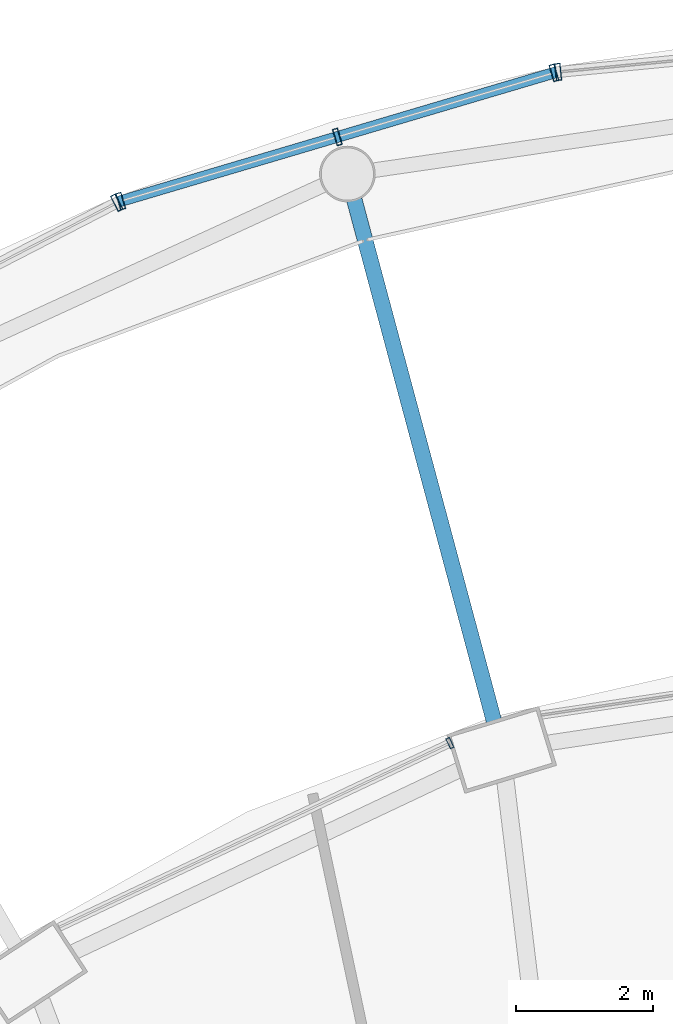
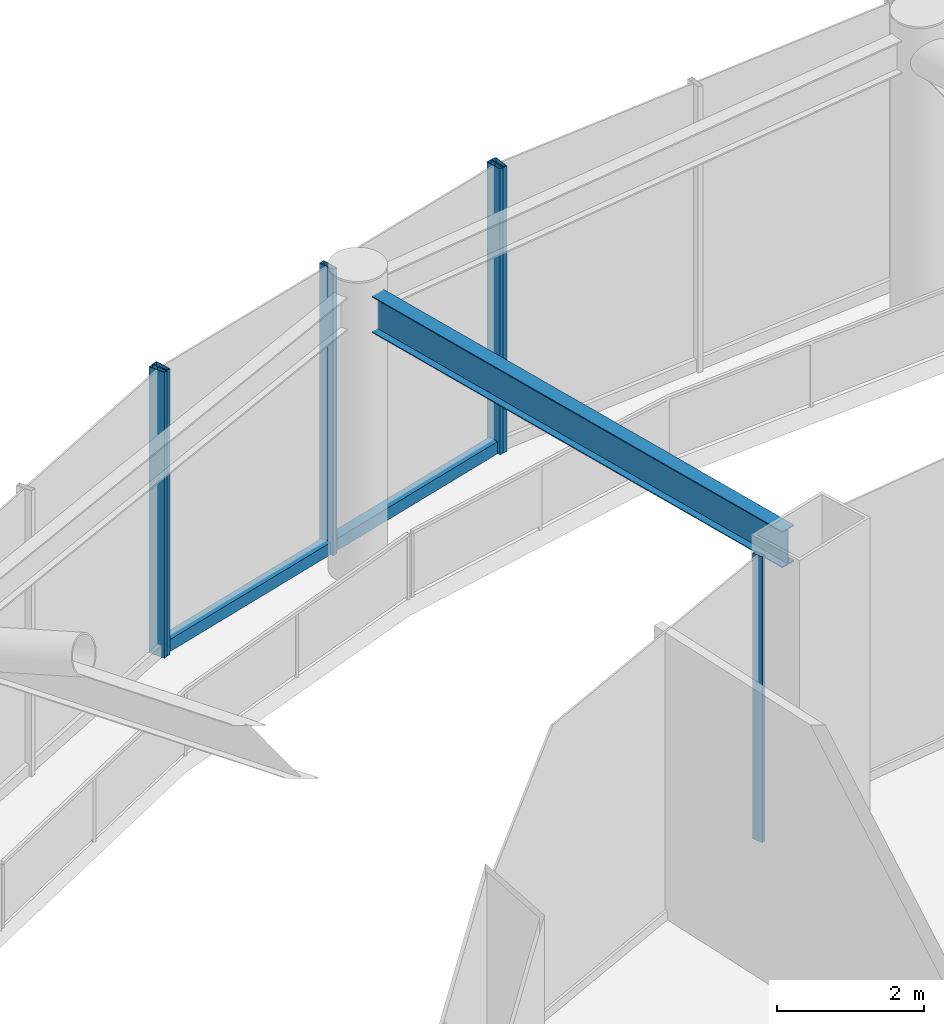
# One storey, part 34 of 52: 7 members, 1 beam, 4 elements without a shape of their own.
"""IFC4 building model written with IfcOpenShell, lengths in metres."""

import ifcopenshell
import ifcopenshell.guid

model = None  # the IFC model being written
_history = None  # IfcOwnerHistory: only IFC2X3 demands one
_inside = {}  # id of a spatial element -> (the spatial element, [elements in it])
_under = {}  # id of a project, library or spatial element -> (it, [spatial elements below it])
_declared = {}  # id of a project -> (the project, [libraries it declares])
_typed = {}  # id of a type object -> (the type object, [elements of that type])
_made_of = {}  # id of a material, layer set ... -> (it, [elements and type objects made of it])


def new_model(schema):
    """Start an empty IFC model of exactly this schema.

    Asked for "IFC4X3", IfcOpenShell would pick the latest addendum, in which some entities
    have other attributes; the version numbers below select the first issue.
    IFC2X3 requires an IfcOwnerHistory on every rooted entity: one is made here for all.
    """
    global model, _history
    if schema == "IFC4X3":
        model = ifcopenshell.file(schema_version=(4, 3, 0, 0))
    else:
        model = ifcopenshell.file(schema=schema)
    _inside.clear()
    _under.clear()
    _declared.clear()
    _typed.clear()
    _made_of.clear()
    _history = None
    if model.schema == "IFC2X3":
        org = make("IfcOrganization", Name="unknown")
        user = make(
            "IfcPersonAndOrganization",
            ThePerson=make("IfcPerson", FamilyName="unknown"),
            TheOrganization=org,
        )
        app = make(
            "IfcApplication",
            ApplicationDeveloper=org,
            Version="unknown",
            ApplicationFullName="unknown",
            ApplicationIdentifier="unknown",
        )
        _history = make(
            "IfcOwnerHistory",
            OwningUser=user,
            OwningApplication=app,
            ChangeAction="ADDED",
            CreationDate=0,
        )
    return model


def make(cls, **values):
    """One entity of the class cls with the attributes given. An attribute that is None is left unset."""
    return model.create_entity(
        cls, **{name: value for name, value in values.items() if value is not None}
    )


def rooted(cls, **values):
    """An entity with a GlobalId (a new one), such as an element, a storey or a relation."""
    return make(cls, GlobalId=ifcopenshell.guid.new(), OwnerHistory=_history, **values)


def si_unit(unit_type, name, prefix=None):
    """IfcSIUnit, for example si_unit("LENGTHUNIT", "METRE", prefix="MILLI")."""
    return make("IfcSIUnit", UnitType=unit_type, Prefix=prefix, Name=name)


def assignment(units):
    """IfcUnitAssignment: the units of a project."""
    return None if units is None else make("IfcUnitAssignment", Units=units)


def point(xyz):
    """IfcCartesianPoint."""
    return None if xyz is None else make("IfcCartesianPoint", Coordinates=xyz)


def direction(xyz):
    """IfcDirection."""
    return None if xyz is None else make("IfcDirection", DirectionRatios=xyz)


def frame(location, z_axis=None, x_axis=None):
    """IfcAxis2Placement3D, a coordinate frame: its origin and axes. An axis left out is left unset."""
    return make(
        "IfcAxis2Placement3D",
        Location=point(location),
        Axis=direction(z_axis),
        RefDirection=direction(x_axis),
    )


def frame_2d(location, x_axis=None):
    """IfcAxis2Placement2D, a coordinate frame in the plane: its origin and x axis."""
    return make(
        "IfcAxis2Placement2D", Location=point(location), RefDirection=direction(x_axis)
    )


def origin():
    """The frame at (0, 0, 0) with its axes left unset."""
    return frame((0.0, 0.0, 0.0))


def origin_2d():
    """The frame at (0, 0) in the plane with its x axis left unset."""
    return frame_2d((0.0, 0.0))


def place(relative_to, where):
    """IfcLocalPlacement: puts the frame where relative to a parent placement (None: the world)."""
    return make(
        "IfcLocalPlacement", PlacementRelTo=relative_to, RelativePlacement=where
    )


def context(
    kind, dimensions, precision=None, world=None, true_north=None, identifier=None
):
    """IfcGeometricRepresentationContext, for example the 3D "Model" context."""
    return make(
        "IfcGeometricRepresentationContext",
        ContextIdentifier=identifier,
        ContextType=kind,
        CoordinateSpaceDimension=dimensions,
        Precision=precision,
        WorldCoordinateSystem=world,
        TrueNorth=true_north,
    )


def subcontext(parent, identifier, kind, view, scale=None):
    """IfcGeometricRepresentationSubContext, for example "Body" below "Model"."""
    return make(
        "IfcGeometricRepresentationSubContext",
        ContextIdentifier=identifier,
        ContextType=kind,
        ParentContext=parent,
        TargetScale=scale,
        TargetView=view,
    )


def project(units=None, contexts=None):
    """IfcProject with its units and contexts."""
    return rooted(
        "IfcProject",
        Name="project",
        RepresentationContexts=contexts,
        UnitsInContext=assignment(units),
    )


def spatial(cls, under=None, at=None, **own):
    """A site, building, storey or space (cls), placed at a placement, below another one or the project."""
    s = rooted(cls, ObjectPlacement=at, **own)
    if under is not None:
        _under.setdefault(under.id(), (under, []))[1].append(s)
    return s


def profile(cls, at=None, kind="AREA", **sizes):
    """A parametric profile (cls). Its sizes go by their IFC names, for example OverallWidth=200.0."""
    return make(cls, ProfileType=kind, Position=at, **sizes)


def hollow_rectangle(**sizes):
    """IfcRectangleHollowProfileDef."""
    return profile("IfcRectangleHollowProfileDef", **sizes)


def i_section(**sizes):
    """IfcIShapeProfileDef."""
    return profile("IfcIShapeProfileDef", **sizes)


def extrude(swept, where, along, depth):
    """IfcExtrudedAreaSolid: the profile swept, set in the frame where, extruded along a direction by depth."""
    return make(
        "IfcExtrudedAreaSolid",
        SweptArea=swept,
        Position=where,
        ExtrudedDirection=direction(along),
        Depth=depth,
    )


def shape(context_of_items, identifier, shape_type, items):
    """IfcShapeRepresentation: the items that make up one representation, for example the "Body"."""
    return make(
        "IfcShapeRepresentation",
        ContextOfItems=context_of_items,
        RepresentationIdentifier=identifier,
        RepresentationType=shape_type,
        Items=items,
    )


def material(Name=None, Category=None):
    """IfcMaterial."""
    return make("IfcMaterial", Name=Name, Category=Category)


def layer(
    of_material, thickness, ventilated=None, Name=None, Category=None, Priority=None
):
    """IfcMaterialLayer: one layer of a wall or slab, of a material (None: an air gap)."""
    return make(
        "IfcMaterialLayer",
        Material=of_material,
        LayerThickness=thickness,
        IsVentilated=ventilated,
        Name=Name,
        Category=Category,
        Priority=Priority,
    )


def layer_set(layers, Name=None):
    """IfcMaterialLayerSet."""
    return make("IfcMaterialLayerSet", MaterialLayers=layers, LayerSetName=Name)


def material_profile(
    of_material, cross_section, Name=None, Category=None, Priority=None
):
    """IfcMaterialProfile: a cross section and its material."""
    return make(
        "IfcMaterialProfile",
        Name=Name,
        Material=of_material,
        Profile=cross_section,
        Priority=Priority,
        Category=Category,
    )


def profile_set(profiles, Name=None, composite=None):
    """IfcMaterialProfileSet."""
    return make(
        "IfcMaterialProfileSet",
        Name=Name,
        MaterialProfiles=profiles,
        CompositeProfile=composite,
    )


def made_of(thing, what):
    """Note that an element or type object is made of a material, layer set ...; save() writes the relation."""
    if what is not None:
        _made_of.setdefault(what.id(), (what, []))[1].append(thing)
    return thing


def type_object(cls, material=None, **own):
    """A type object (cls), such as IfcWallType, which elements share."""
    return made_of(rooted(cls, **own), material)


def element(
    cls,
    number,
    at=None,
    inside=None,
    cuts=None,
    type_object=None,
    material=None,
    context=None,
    identifier="Body",
    shape_type=None,
    held_by="IfcProductDefinitionShape",
    body=None,
    shapes=None,
    **own,
):
    """One element of the class cls, such as IfcWall. Its Tag is "e" and its number.

    at: its placement. inside: the storey or other place that contains it. cuts: it is an
    opening in that element (IfcRelVoidsElement). A single representation is given by context,
    identifier, shape_type and body (its items); several are given by shapes. held_by: the class
    of the entity that holds the representations. save() writes the other relations.
    """
    e = rooted(cls, Tag="e%d" % number, ObjectPlacement=at, **own)
    if body is not None:
        shapes = [shape(context, identifier, shape_type, body)]
    if shapes is not None:
        e.Representation = make(held_by, Representations=shapes)
    if inside is not None:
        _inside.setdefault(inside.id(), (inside, []))[1].append(e)
    if cuts is not None:
        rooted(
            "IfcRelVoidsElement", RelatingBuildingElement=cuts, RelatedOpeningElement=e
        )
    if type_object is not None:
        _typed.setdefault(type_object.id(), (type_object, []))[1].append(e)
    return made_of(e, material)


def aggregate(whole, parts):
    """IfcRelAggregates: a whole, such as a stair, and the parts it consists of."""
    return rooted("IfcRelAggregates", RelatingObject=whole, RelatedObjects=parts)


def save(model, path):
    """Write the relations noted so far, then the file.

    IfcRelAggregates (storeys below a building ...), IfcRelContainedInSpatialStructure (elements
    in a storey), IfcRelDefinesByType, IfcRelAssociatesMaterial and IfcRelDeclares: one each for
    every whole, place, type object, material and project.
    """
    for whole, parts in _under.values():
        aggregate(whole, parts)
    for where, things in _inside.values():
        rooted(
            "IfcRelContainedInSpatialStructure",
            RelatedElements=things,
            RelatingStructure=where,
        )
    for kind, things in _typed.values():
        rooted("IfcRelDefinesByType", RelatedObjects=things, RelatingType=kind)
    for what, things in _made_of.values():
        rooted("IfcRelAssociatesMaterial", RelatedObjects=things, RelatingMaterial=what)
    for by, libraries in _declared.values():
        rooted("IfcRelDeclares", RelatingContext=by, RelatedDefinitions=libraries)
    model.write(path)


model = new_model("IFC4")

# Units and contexts
model_context = context("Model", 3, precision=1e-05, world=origin(), true_north=direction((0.0, 1.0)))
body_context = subcontext(model_context, "Body", "Model", "MODEL_VIEW")
ifc_project = project(units=[si_unit("LENGTHUNIT", "METRE"), si_unit("AREAUNIT", "SQUARE_METRE"), si_unit("VOLUMEUNIT", "CUBIC_METRE"), si_unit("PLANEANGLEUNIT", "RADIAN"), si_unit("MASSUNIT", "GRAM", prefix="KILO")], contexts=[model_context])

# Site, building, storey
site_placement = place(None, origin())
site = spatial("IfcSite", under=ifc_project, at=site_placement, CompositionType="ELEMENT")
building_placement = place(site_placement, origin())
building = spatial("IfcBuilding", under=site, at=building_placement, Name="Nagisa Residences", CompositionType="ELEMENT")
storey_placement = place(building_placement, frame((0.0, 0.0, 22.0)))
storey = spatial("IfcBuildingStorey", under=building, at=storey_placement, Name="L04", CompositionType="ELEMENT", Elevation=22.0)

# Beam
ifc_material_1 = material(Name="Steel ASTM A572 Gr 50", Category="steel")
ifc_material_profile_1 = material_profile(ifc_material_1, i_section(OverallWidth=0.22802734375, OverallDepth=0.60302734375, WebThickness=0.010498046875, FlangeThickness=0.014892578125, at=origin_2d()), Name="W610x101")
ifc_profile_set_1 = profile_set([ifc_material_profile_1], Name="Steel ASTM A572 Gr 50")
beam_type = type_object("IfcBeamType", Name="Atrium roof beam W610x101", PredefinedType="BEAM", material=ifc_profile_set_1)
beam_placement = place(storey_placement, frame((-3.8876953125, 31.80810546875, 4.448486328125), z_axis=(-0.258809356376, 0.965928422324, 0.0), x_axis=(-0.965928422324, -0.258809356376, 0.0)))
element("IfcBeam", 1, at=beam_placement, inside=storey, type_object=beam_type, Name="beam:L04:rer08", PredefinedType="BEAM", context=body_context, shape_type="SweptSolid", body=[
    extrude(i_section(OverallWidth=0.22802734375, OverallDepth=0.60302734375, WebThickness=0.010498046875, FlangeThickness=0.014892578125, at=origin_2d()), origin(), (0.0, 0.0, 1.0), 7.88330078125),
])

# Curtain wall, member
ifc_material_2 = material(Name="Stainless steel curtain wall system", Category="steel")
ifc_layer_1 = layer(ifc_material_2, 0.159912109375)
ifc_layer_set_1 = layer_set([ifc_layer_1], Name="CW3 CURTAIN WALL")
curtain_wall_type_1 = type_object("IfcCurtainWallType", Name="CW3 CURTAIN WALL", PredefinedType="NOTDEFINED", material=ifc_layer_set_1)
curtain_wall_1_placement = place(storey_placement, origin())
curtain_wall_1 = element("IfcCurtainWall", 2, at=curtain_wall_1_placement, inside=storey, type_object=curtain_wall_type_1, Name="cw:CW3:L04:09", PredefinedType="NOTDEFINED")
ifc_material_3 = material(Name="Stainless steel", Category="steel")
ifc_material_profile_2 = material_profile(ifc_material_3, hollow_rectangle(XDim=0.25, YDim=0.080078125, WallThickness=0.008056640625, at=origin_2d()), Name="CW3 MULLION 250x80")
ifc_profile_set_2 = profile_set([ifc_material_profile_2], Name="Stainless steel")
member_type_1 = type_object("IfcMemberType", Name="CW3 MULLION 250x80", PredefinedType="MULLION", material=ifc_profile_set_2)
member_1_placement = place(storey_placement, frame((-2.951171875, 41.2861328125, 0.0), z_axis=(0.0, 0.0, 1.0), x_axis=(0.096249055035, -0.995357282289, 0.0)))
member_1 = element("IfcMember", 3, at=member_1_placement, type_object=member_type_1, Name="CW3 mullion", PredefinedType="MULLION", context=body_context, shape_type="SweptSolid", body=[
    extrude(hollow_rectangle(XDim=0.25, YDim=0.080078125, WallThickness=0.008056640625, at=origin_2d()), origin(), (0.0, 0.0, 1.0), 4.739990234375),
])
aggregate(curtain_wall_1, [member_1])

# Curtain wall, members
curtain_wall_2_placement = place(storey_placement, origin())
curtain_wall_2 = element("IfcCurtainWall", 4, at=curtain_wall_2_placement, inside=storey, type_object=curtain_wall_type_1, Name="cw:CW3:L04:10", PredefinedType="NOTDEFINED")
member_2_placement = place(storey_placement, frame((-3.01416015625, 41.27392578125, 0.0), z_axis=(0.0, 0.0, 1.0), x_axis=(0.283963226669, -0.958835171393, 0.0)))
member_2 = element("IfcMember", 5, at=member_2_placement, type_object=member_type_1, Name="CW3 mullion", PredefinedType="MULLION", context=body_context, shape_type="SweptSolid", body=[
    extrude(hollow_rectangle(XDim=0.25, YDim=0.080078125, WallThickness=0.008056640625, at=origin_2d()), origin(), (0.0, 0.0, 1.0), 4.739990234375),
])
member_3_placement = place(storey_placement, frame((-6.175048828125, 40.337890625, 0.0), z_axis=(0.0, 0.0, 1.0), x_axis=(0.283963226669, -0.958835171393, 0.0)))
member_3 = element("IfcMember", 6, at=member_3_placement, type_object=member_type_1, Name="CW3 mullion", PredefinedType="MULLION", context=body_context, shape_type="SweptSolid", body=[
    extrude(hollow_rectangle(XDim=0.25, YDim=0.080078125, WallThickness=0.008056640625, at=origin_2d()), origin(), (0.0, 0.0, 1.0), 4.739990234375),
])
member_4_placement = place(storey_placement, frame((-9.335693359375, 39.40185546875, 0.0), z_axis=(0.0, 0.0, 1.0), x_axis=(0.283963226669, -0.958835171393, 0.0)))
member_4 = element("IfcMember", 7, at=member_4_placement, type_object=member_type_1, Name="CW3 mullion", PredefinedType="MULLION", context=body_context, shape_type="SweptSolid", body=[
    extrude(hollow_rectangle(XDim=0.25, YDim=0.080078125, WallThickness=0.008056640625, at=origin_2d()), origin(), (0.0, 0.0, 1.0), 4.739990234375),
])

# Curtain wall, member
curtain_wall_3_placement = place(storey_placement, origin())
curtain_wall_3 = element("IfcCurtainWall", 8, at=curtain_wall_3_placement, inside=storey, type_object=curtain_wall_type_1, Name="cw:CW3:L04:11", PredefinedType="NOTDEFINED")
member_5_placement = place(storey_placement, frame((-9.395751953125, 39.377685546875, 0.0), z_axis=(0.0, 0.0, 1.0), x_axis=(0.45812598783, -0.888887270285, 0.0)))
member_5 = element("IfcMember", 9, at=member_5_placement, type_object=member_type_1, Name="CW3 mullion", PredefinedType="MULLION", context=body_context, shape_type="SweptSolid", body=[
    extrude(hollow_rectangle(XDim=0.25, YDim=0.080078125, WallThickness=0.008056640625, at=origin_2d()), origin(), (0.0, 0.0, 1.0), 4.739990234375),
])
aggregate(curtain_wall_3, [member_5])

# Member
ifc_material_4 = material(Name="Stainless steel", Category="steel")
ifc_material_profile_3 = material_profile(ifc_material_4, hollow_rectangle(XDim=0.159912109375, YDim=0.199951171875, WallThickness=0.008056640625, at=origin_2d()), Name="CW3 TRANSOM 160x200")
ifc_profile_set_3 = profile_set([ifc_material_profile_3], Name="Stainless steel")
member_type_2 = type_object("IfcMemberType", Name="CW3 TRANSOM 160x200", PredefinedType="USERDEFINED", material=ifc_profile_set_3)
member_6_placement = place(storey_placement, frame((-2.975830078125, 41.28515625, 0.10009765625), z_axis=(-0.958838335071, -0.283952543919, 0.0), x_axis=(0.283952543919, -0.958838335071, 0.0)))
member_6 = element("IfcMember", 10, at=member_6_placement, type_object=member_type_2, Name="CW3 transom", ObjectType="TRANSOM", PredefinedType="USERDEFINED", context=body_context, shape_type="SweptSolid", body=[
    extrude(hollow_rectangle(XDim=0.159912109375, YDim=0.199951171875, WallThickness=0.008056640625, at=origin_2d()), origin(), (0.0, 0.0, 1.0), 6.6728515625),
])

aggregate(curtain_wall_2, [member_2, member_3, member_4, member_6])

# Curtain wall, member
ifc_material_5 = material(Name="Stainless steel curtain wall system", Category="steel")
ifc_layer_2 = layer(ifc_material_5, 0.159912109375)
ifc_layer_set_2 = layer_set([ifc_layer_2], Name="CW6 CURTAIN WALL")
curtain_wall_type_2 = type_object("IfcCurtainWallType", Name="CW6 CURTAIN WALL", PredefinedType="NOTDEFINED", material=ifc_layer_set_2)
curtain_wall_4_placement = place(storey_placement, origin())
curtain_wall_4 = element("IfcCurtainWall", 11, at=curtain_wall_4_placement, inside=storey, type_object=curtain_wall_type_2, Name="cw:CW6:L04:14", PredefinedType="NOTDEFINED")
ifc_material_6 = material(Name="Stainless steel", Category="steel")
ifc_material_profile_4 = material_profile(ifc_material_6, hollow_rectangle(XDim=0.159912109375, YDim=0.06005859375, WallThickness=0.006103515625, at=origin_2d()), Name="CW6 MULLION 160x60")
ifc_profile_set_4 = profile_set([ifc_material_profile_4], Name="Stainless steel")
member_type_3 = type_object("IfcMemberType", Name="CW6 MULLION 160x60", PredefinedType="MULLION", material=ifc_profile_set_4)
member_7_placement = place(storey_placement, frame((-4.531982421875, 31.491943359375, 0.0), z_axis=(0.0, 0.0, 1.0), x_axis=(0.426358467603, -0.904554286432, 0.0)))
member_7 = element("IfcMember", 12, at=member_7_placement, type_object=member_type_3, Name="CW6 mullion", PredefinedType="MULLION", context=body_context, shape_type="SweptSolid", body=[
    extrude(hollow_rectangle(XDim=0.159912109375, YDim=0.06005859375, WallThickness=0.006103515625, at=origin_2d()), origin(), (0.0, 0.0, 1.0), 4.739990234375),
])
aggregate(curtain_wall_4, [member_7])

save(model, "model.ifc")
